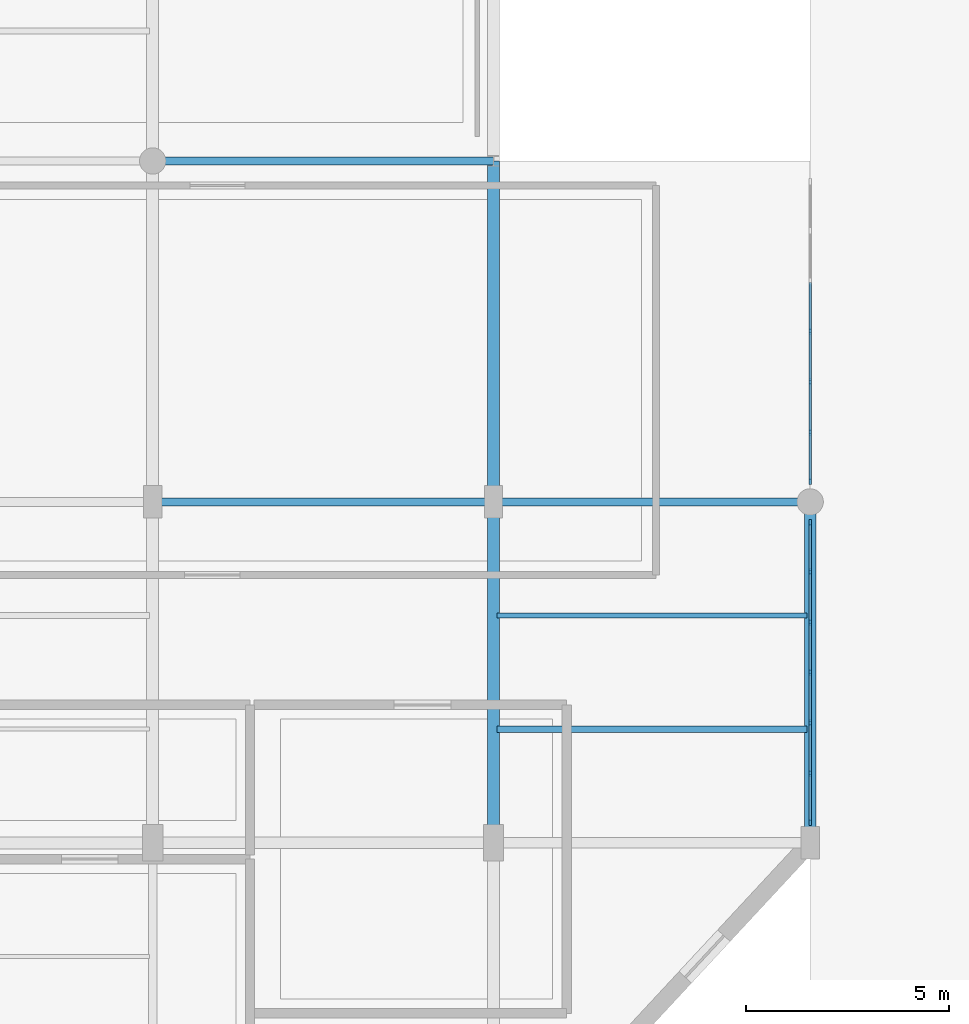
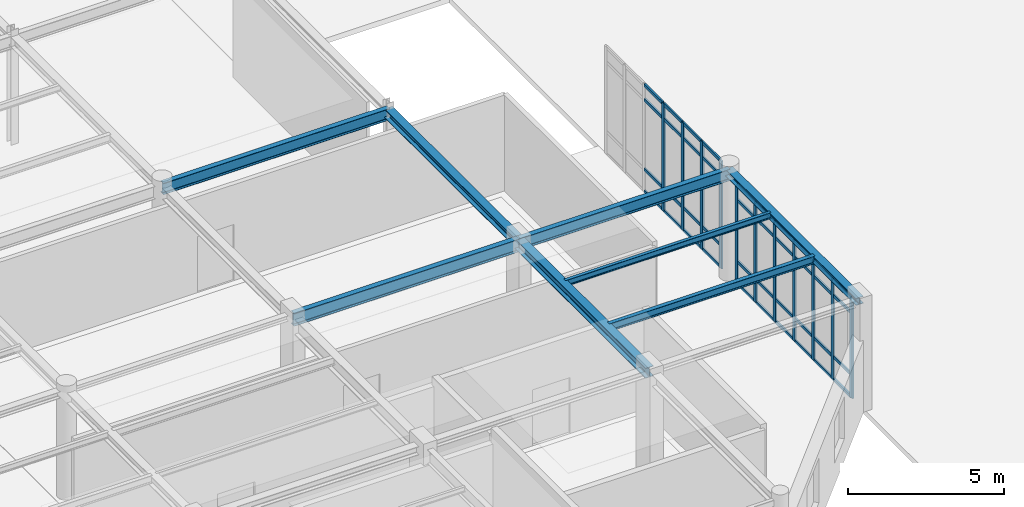
# One storey, part 24 of 101: 51 members, 8 beams, 2 elements without a shape of their own.
"""IFC4 building model written with IfcOpenShell, lengths in metres."""

from ifc_helpers import new_model, si_unit, derived_unit, direction, frame, origin, origin_2d, place, context, subcontext, project, spatial, rectangle, i_section, extrude, material, layer, layer_set, material_profile, profile_set, type_object, element, aggregate, save


model = new_model("IFC4")

# Units and contexts
model_context = context("Model", 3, precision=1e-05, world=origin(), true_north=direction((0.0, 1.0)))
body_context = subcontext(model_context, "Body", "Model", "MODEL_VIEW")
ifc_project = project(units=[si_unit("LENGTHUNIT", "METRE"), si_unit("AREAUNIT", "SQUARE_METRE"), si_unit("VOLUMEUNIT", "CUBIC_METRE"), si_unit("PLANEANGLEUNIT", "RADIAN"), si_unit("MASSUNIT", "GRAM", prefix="KILO"), derived_unit("THERMALTRANSMITTANCEUNIT", [(si_unit("POWERUNIT", "WATT"), 1), (si_unit("AREAUNIT", "SQUARE_METRE"), -1), (si_unit("THERMODYNAMICTEMPERATUREUNIT", "KELVIN"), -1)])], contexts=[model_context])

# Site, building, storey
site_placement = place(None, origin())
site = spatial("IfcSite", under=ifc_project, at=site_placement, CompositionType="ELEMENT")
building_placement = place(site_placement, origin())
building = spatial("IfcBuilding", under=site, at=building_placement, Name="Yasenodar Specialist Clinic", CompositionType="ELEMENT")
storey_placement = place(building_placement, origin())
storey = spatial("IfcBuildingStorey", under=building, at=storey_placement, Name="L00", CompositionType="ELEMENT", Elevation=0.0)

# Beams
ifc_material_1 = material(Name="Steel S355", Category="steel")
ifc_material_profile_1 = material_profile(ifc_material_1, i_section(OverallWidth=0.280029296875, OverallDepth=0.280029296875, WebThickness=0.010498046875, FlangeThickness=0.01806640625, FilletRadius=0.02392578125, at=origin_2d()), Name="HEB 280")
ifc_profile_set_1 = profile_set([ifc_material_profile_1], Name="Steel S355")
beam_type_1 = type_object("IfcBeamType", Name="BM-HEB280", PredefinedType="BEAM", material=ifc_profile_set_1)
beam_1_placement = place(storey_placement, frame((41.39990234375, 8.39990234375, 4.094970703125), z_axis=(0.0, 1.0, 0.0), x_axis=(-1.0, 0.0, 0.0)))
element("IfcBeam", 1, at=beam_1_placement, inside=storey, type_object=beam_type_1, Name="L00 Primary N-S Girder", PredefinedType="BEAM", context=body_context, shape_type="SweptSolid", body=[
    extrude(i_section(OverallWidth=0.280029296875, OverallDepth=0.280029296875, WebThickness=0.010498046875, FlangeThickness=0.01806640625, FilletRadius=0.02392578125, at=origin_2d()), origin(), (0.0, 0.0, 1.0), 8.400146484375),
])
ifc_material_profile_2 = material_profile(ifc_material_1, i_section(OverallWidth=0.300048828125, OverallDepth=0.340087890625, WebThickness=0.011962890625, FlangeThickness=0.021484375, FilletRadius=0.027099609375, at=origin_2d()), Name="HEB 340")
ifc_profile_set_2 = profile_set([ifc_material_profile_2], Name="Steel S355")
beam_type_2 = type_object("IfcBeamType", Name="BM-HEB340", PredefinedType="BEAM", material=ifc_profile_set_2)
beam_2_placement = place(storey_placement, frame((33.60009765625, 16.800048828125, 4.06494140625), z_axis=(0.0, 1.0, 0.0), x_axis=(-1.0, 0.0, 0.0)))
element("IfcBeam", 2, at=beam_2_placement, inside=storey, type_object=beam_type_2, Name="L00 Primary N-S Girder", PredefinedType="BEAM", context=body_context, shape_type="SweptSolid", body=[
    extrude(i_section(OverallWidth=0.300048828125, OverallDepth=0.340087890625, WebThickness=0.011962890625, FlangeThickness=0.021484375, FilletRadius=0.027099609375, at=origin_2d()), origin(), (0.0, 0.0, 1.0), 8.39990234375),
])
ifc_material_profile_3 = material_profile(ifc_material_1, i_section(OverallWidth=0.300048828125, OverallDepth=0.39990234375, WebThickness=0.013427734375, FlangeThickness=0.02392578125, FilletRadius=0.027099609375, at=origin_2d()), Name="HEB 400")
ifc_profile_set_3 = profile_set([ifc_material_profile_3], Name="Steel S355")
beam_type_3 = type_object("IfcBeamType", Name="BM-HEB400", PredefinedType="BEAM", material=ifc_profile_set_3)
beam_3_placement = place(storey_placement, frame((33.60009765625, 8.39990234375, 4.034912109375), z_axis=(0.0, 1.0, 0.0), x_axis=(-1.0, 0.0, 0.0)))
element("IfcBeam", 3, at=beam_3_placement, inside=storey, type_object=beam_type_3, Name="L00 Primary N-S Girder", PredefinedType="BEAM", context=body_context, shape_type="SweptSolid", body=[
    extrude(i_section(OverallWidth=0.300048828125, OverallDepth=0.39990234375, WebThickness=0.013427734375, FlangeThickness=0.02392578125, FilletRadius=0.027099609375, at=origin_2d()), origin(), (0.0, 0.0, 1.0), 8.400146484375),
])
ifc_material_profile_4 = material_profile(ifc_material_1, i_section(OverallWidth=0.18994140625, OverallDepth=0.449951171875, WebThickness=0.009521484375, FlangeThickness=0.0146484375, FilletRadius=0.02099609375, at=origin_2d()), Name="IPE 450")
ifc_profile_set_4 = profile_set([ifc_material_profile_4], Name="Steel S355")
beam_type_4 = type_object("IfcBeamType", Name="BM-IPE450", PredefinedType="BEAM", material=ifc_profile_set_4)
beam_4_placement = place(storey_placement, frame((33.60009765625, 16.800048828125, 4.010009765625), z_axis=(1.0, 0.0, 0.0), x_axis=(0.0, 1.0, 0.0)))
element("IfcBeam", 4, at=beam_4_placement, inside=storey, type_object=beam_type_4, Name="L00 Primary E-W Girder", PredefinedType="BEAM", context=body_context, shape_type="SweptSolid", body=[
    extrude(i_section(OverallWidth=0.18994140625, OverallDepth=0.449951171875, WebThickness=0.009521484375, FlangeThickness=0.0146484375, FilletRadius=0.02099609375, at=origin_2d()), origin(), (0.0, 0.0, 1.0), 7.7998046875),
])
beam_5_placement = place(storey_placement, frame((25.199951171875, 25.199951171875, 4.02490234375), z_axis=(1.0, 0.0, 0.0), x_axis=(0.0, 1.0, 0.0)))
element("IfcBeam", 5, at=beam_5_placement, inside=storey, type_object=beam_type_4, Name="L00 Primary E-W Girder", PredefinedType="BEAM", context=body_context, shape_type="SweptSolid", body=[
    extrude(i_section(OverallWidth=0.18994140625, OverallDepth=0.449951171875, WebThickness=0.009521484375, FlangeThickness=0.0146484375, FilletRadius=0.02099609375, at=origin_2d()), origin(), (0.0, 0.0, 1.0), 8.400146484375),
])
ifc_material_profile_5 = material_profile(ifc_material_1, i_section(OverallWidth=0.199951171875, OverallDepth=0.5, WebThickness=0.01025390625, FlangeThickness=0.01611328125, FilletRadius=0.02099609375, at=origin_2d()), Name="IPE 500")
ifc_profile_set_5 = profile_set([ifc_material_profile_5], Name="Steel S355")
beam_type_5 = type_object("IfcBeamType", Name="BM-IPE500", PredefinedType="BEAM", material=ifc_profile_set_5)
beam_6_placement = place(storey_placement, frame((25.199951171875, 16.800048828125, 3.985107421875), z_axis=(1.0, 0.0, 0.0), x_axis=(0.0, 1.0, 0.0)))
element("IfcBeam", 6, at=beam_6_placement, inside=storey, type_object=beam_type_5, Name="L00 Primary E-W Girder", PredefinedType="BEAM", context=body_context, shape_type="SweptSolid", body=[
    extrude(i_section(OverallWidth=0.199951171875, OverallDepth=0.5, WebThickness=0.01025390625, FlangeThickness=0.01611328125, FilletRadius=0.02099609375, at=origin_2d()), origin(), (0.0, 0.0, 1.0), 8.400146484375),
])

# Curtain wall, members
ifc_material_2 = material(Name="Bronze Anodized Aluminium and Triple Low-E Glass", Category="aluminium")
ifc_layer = layer(ifc_material_2, 0.202880859375)
ifc_layer_set = layer_set([ifc_layer], Name="Bronze Anodized Aluminium and Triple Low-E Glass")
curtain_wall_type = type_object("IfcCurtainWallType", Name="CW-SYS-04", PredefinedType="USERDEFINED", material=ifc_layer_set)
curtain_wall_1_placement = place(storey_placement, origin())
curtain_wall_1 = element("IfcCurtainWall", 7, at=curtain_wall_1_placement, inside=storey, type_object=curtain_wall_type, Name="L00 Unitised Curtain Wall 072", ObjectType="UNITISED CURTAIN WALL", PredefinedType="USERDEFINED")
ifc_material_3 = material(Name="Bronze Anodized Aluminium", Category="aluminium")
ifc_material_profile_6 = material_profile(ifc_material_3, rectangle(XDim=0.06005859375, YDim=0.159912109375, at=origin_2d()), Name="CW-MULL 60x160")
ifc_profile_set_6 = profile_set([ifc_material_profile_6], Name="Bronze Anodized Aluminium")
member_type_1 = type_object("IfcMemberType", Name="CW-MULL-160", PredefinedType="MULLION", material=ifc_profile_set_6)
member_1_placement = place(storey_placement, frame((41.39990234375, 21.0, 0.0), z_axis=(0.0, 0.0, 1.0), x_axis=(1.0, 0.0, 0.0)))
member_1 = element("IfcMember", 8, at=member_1_placement, type_object=member_type_1, Name="CW-04 mullion 4", PredefinedType="MULLION", context=body_context, shape_type="SweptSolid", body=[
    extrude(rectangle(XDim=0.06005859375, YDim=0.159912109375, at=origin_2d()), origin(), (0.0, 0.0, 1.0), 4.22998046875),
])
member_2_placement = place(storey_placement, frame((41.39990234375, 19.760009765625, 0.0), z_axis=(0.0, 0.0, 1.0), x_axis=(1.0, 0.0, 0.0)))
member_2 = element("IfcMember", 9, at=member_2_placement, type_object=member_type_1, Name="CW-04 mullion 5", PredefinedType="MULLION", context=body_context, shape_type="SweptSolid", body=[
    extrude(rectangle(XDim=0.06005859375, YDim=0.159912109375, at=origin_2d()), origin(), (0.0, 0.0, 1.0), 4.22998046875),
])
member_3_placement = place(storey_placement, frame((41.39990234375, 18.52001953125, 0.0), z_axis=(0.0, 0.0, 1.0), x_axis=(1.0, 0.0, 0.0)))
member_3 = element("IfcMember", 10, at=member_3_placement, type_object=member_type_1, Name="CW-04 mullion 6", PredefinedType="MULLION", context=body_context, shape_type="SweptSolid", body=[
    extrude(rectangle(XDim=0.06005859375, YDim=0.159912109375, at=origin_2d()), origin(), (0.0, 0.0, 1.0), 4.22998046875),
])
member_4_placement = place(storey_placement, frame((41.39990234375, 17.31005859375, 0.0), z_axis=(0.0, 0.0, 1.0), x_axis=(1.0, 0.0, 0.0)))
member_4 = element("IfcMember", 11, at=member_4_placement, type_object=member_type_1, Name="CW-04 mullion 7", PredefinedType="MULLION", context=body_context, shape_type="SweptSolid", body=[
    extrude(rectangle(XDim=0.06005859375, YDim=0.159912109375, at=origin_2d()), origin(), (0.0, 0.0, 1.0), 4.22998046875),
])

curtain_wall_2_placement = place(storey_placement, origin())
curtain_wall_2 = element("IfcCurtainWall", 12, at=curtain_wall_2_placement, inside=storey, type_object=curtain_wall_type, Name="L00 Unitised Curtain Wall 073", ObjectType="UNITISED CURTAIN WALL", PredefinedType="USERDEFINED")
member_5_placement = place(storey_placement, frame((41.39990234375, 16.2900390625, 0.0), z_axis=(0.0, 0.0, 1.0), x_axis=(1.0, 0.0, 0.0)))
member_5 = element("IfcMember", 13, at=member_5_placement, type_object=member_type_1, Name="CW-04 mullion 1", PredefinedType="MULLION", context=body_context, shape_type="SweptSolid", body=[
    extrude(rectangle(XDim=0.06005859375, YDim=0.159912109375, at=origin_2d()), origin(), (0.0, 0.0, 1.0), 3.9130859375),
])
member_6_placement = place(storey_placement, frame((41.39990234375, 15.080078125, 0.0), z_axis=(0.0, 0.0, 1.0), x_axis=(1.0, 0.0, 0.0)))
member_6 = element("IfcMember", 14, at=member_6_placement, type_object=member_type_1, Name="CW-04 mullion 2", PredefinedType="MULLION", context=body_context, shape_type="SweptSolid", body=[
    extrude(rectangle(XDim=0.06005859375, YDim=0.159912109375, at=origin_2d()), origin(), (0.0, 0.0, 1.0), 3.9130859375),
])
member_7_placement = place(storey_placement, frame((41.39990234375, 13.840087890625, 0.0), z_axis=(0.0, 0.0, 1.0), x_axis=(1.0, 0.0, 0.0)))
member_7 = element("IfcMember", 15, at=member_7_placement, type_object=member_type_1, Name="CW-04 mullion 3", PredefinedType="MULLION", context=body_context, shape_type="SweptSolid", body=[
    extrude(rectangle(XDim=0.06005859375, YDim=0.159912109375, at=origin_2d()), origin(), (0.0, 0.0, 1.0), 3.9130859375),
])
member_8_placement = place(storey_placement, frame((41.39990234375, 12.60009765625, 0.0), z_axis=(0.0, 0.0, 1.0), x_axis=(1.0, 0.0, 0.0)))
member_8 = element("IfcMember", 16, at=member_8_placement, type_object=member_type_1, Name="CW-04 mullion 4", PredefinedType="MULLION", context=body_context, shape_type="SweptSolid", body=[
    extrude(rectangle(XDim=0.06005859375, YDim=0.159912109375, at=origin_2d()), origin(), (0.0, 0.0, 1.0), 3.9130859375),
])
member_9_placement = place(storey_placement, frame((41.39990234375, 11.360107421875, 0.0), z_axis=(0.0, 0.0, 1.0), x_axis=(1.0, 0.0, 0.0)))
member_9 = element("IfcMember", 17, at=member_9_placement, type_object=member_type_1, Name="CW-04 mullion 5", PredefinedType="MULLION", context=body_context, shape_type="SweptSolid", body=[
    extrude(rectangle(XDim=0.06005859375, YDim=0.159912109375, at=origin_2d()), origin(), (0.0, 0.0, 1.0), 3.9130859375),
])
member_10_placement = place(storey_placement, frame((41.39990234375, 10.1201171875, 0.0), z_axis=(0.0, 0.0, 1.0), x_axis=(1.0, 0.0, 0.0)))
member_10 = element("IfcMember", 18, at=member_10_placement, type_object=member_type_1, Name="CW-04 mullion 6", PredefinedType="MULLION", context=body_context, shape_type="SweptSolid", body=[
    extrude(rectangle(XDim=0.06005859375, YDim=0.159912109375, at=origin_2d()), origin(), (0.0, 0.0, 1.0), 3.9130859375),
])
member_11_placement = place(storey_placement, frame((41.39990234375, 8.909912109375, 0.0), z_axis=(0.0, 0.0, 1.0), x_axis=(1.0, 0.0, 0.0)))
member_11 = element("IfcMember", 19, at=member_11_placement, type_object=member_type_1, Name="CW-04 mullion 7", PredefinedType="MULLION", context=body_context, shape_type="SweptSolid", body=[
    extrude(rectangle(XDim=0.06005859375, YDim=0.159912109375, at=origin_2d()), origin(), (0.0, 0.0, 1.0), 3.9130859375),
])

# Member
ifc_material_profile_7 = material_profile(ifc_material_3, rectangle(XDim=0.06005859375, YDim=0.1201171875, at=origin_2d()), Name="CW-TRAN 60x120")
ifc_profile_set_7 = profile_set([ifc_material_profile_7], Name="Bronze Anodized Aluminium")
member_type_2 = type_object("IfcMemberType", Name="CW-TRAN-120", PredefinedType="USERDEFINED", material=ifc_profile_set_7)
member_12_placement = place(storey_placement, frame((41.39990234375, 22.2099609375, 0.030029296875), z_axis=(0.0, -1.0, 0.0), x_axis=(1.0, 0.0, 0.0)))
member_12 = element("IfcMember", 20, at=member_12_placement, type_object=member_type_2, Name="CW-04 transom 3.1", ObjectType="TRANSOM", PredefinedType="USERDEFINED", context=body_context, shape_type="SweptSolid", body=[
    extrude(rectangle(XDim=0.06005859375, YDim=0.1201171875, at=origin_2d()), origin(), (0.0, 0.0, 1.0), 1.179931640625),
])

member_13_placement = place(storey_placement, frame((41.39990234375, 22.2099609375, 0.89990234375), z_axis=(0.0, -1.0, 0.0), x_axis=(1.0, 0.0, 0.0)))
member_13 = element("IfcMember", 21, at=member_13_placement, type_object=member_type_2, Name="CW-04 transom 3.2", ObjectType="TRANSOM", PredefinedType="USERDEFINED", context=body_context, shape_type="SweptSolid", body=[
    extrude(rectangle(XDim=0.06005859375, YDim=0.1201171875, at=origin_2d()), origin(), (0.0, 0.0, 1.0), 1.179931640625),
])

member_14_placement = place(storey_placement, frame((41.39990234375, 22.2099609375, 3.6298828125), z_axis=(0.0, -1.0, 0.0), x_axis=(1.0, 0.0, 0.0)))
member_14 = element("IfcMember", 22, at=member_14_placement, type_object=member_type_2, Name="CW-04 transom 3.3", ObjectType="TRANSOM", PredefinedType="USERDEFINED", context=body_context, shape_type="SweptSolid", body=[
    extrude(rectangle(XDim=0.06005859375, YDim=0.1201171875, at=origin_2d()), origin(), (0.0, 0.0, 1.0), 1.179931640625),
])

member_15_placement = place(storey_placement, frame((41.39990234375, 22.2099609375, 4.199951171875), z_axis=(0.0, -1.0, 0.0), x_axis=(1.0, 0.0, 0.0)))
member_15 = element("IfcMember", 23, at=member_15_placement, type_object=member_type_2, Name="CW-04 transom 3.4", ObjectType="TRANSOM", PredefinedType="USERDEFINED", context=body_context, shape_type="SweptSolid", body=[
    extrude(rectangle(XDim=0.06005859375, YDim=0.1201171875, at=origin_2d()), origin(), (0.0, 0.0, 1.0), 1.179931640625),
])

member_16_placement = place(storey_placement, frame((41.39990234375, 20.969970703125, 0.030029296875), z_axis=(0.0, -1.0, 0.0), x_axis=(1.0, 0.0, 0.0)))
member_16 = element("IfcMember", 24, at=member_16_placement, type_object=member_type_2, Name="CW-04 transom 4.1", ObjectType="TRANSOM", PredefinedType="USERDEFINED", context=body_context, shape_type="SweptSolid", body=[
    extrude(rectangle(XDim=0.06005859375, YDim=0.1201171875, at=origin_2d()), origin(), (0.0, 0.0, 1.0), 1.179931640625),
])

member_17_placement = place(storey_placement, frame((41.39990234375, 20.969970703125, 0.89990234375), z_axis=(0.0, -1.0, 0.0), x_axis=(1.0, 0.0, 0.0)))
member_17 = element("IfcMember", 25, at=member_17_placement, type_object=member_type_2, Name="CW-04 transom 4.2", ObjectType="TRANSOM", PredefinedType="USERDEFINED", context=body_context, shape_type="SweptSolid", body=[
    extrude(rectangle(XDim=0.06005859375, YDim=0.1201171875, at=origin_2d()), origin(), (0.0, 0.0, 1.0), 1.179931640625),
])

member_18_placement = place(storey_placement, frame((41.39990234375, 20.969970703125, 3.6298828125), z_axis=(0.0, -1.0, 0.0), x_axis=(1.0, 0.0, 0.0)))
member_18 = element("IfcMember", 26, at=member_18_placement, type_object=member_type_2, Name="CW-04 transom 4.3", ObjectType="TRANSOM", PredefinedType="USERDEFINED", context=body_context, shape_type="SweptSolid", body=[
    extrude(rectangle(XDim=0.06005859375, YDim=0.1201171875, at=origin_2d()), origin(), (0.0, 0.0, 1.0), 1.179931640625),
])

member_19_placement = place(storey_placement, frame((41.39990234375, 20.969970703125, 4.199951171875), z_axis=(0.0, -1.0, 0.0), x_axis=(1.0, 0.0, 0.0)))
member_19 = element("IfcMember", 27, at=member_19_placement, type_object=member_type_2, Name="CW-04 transom 4.4", ObjectType="TRANSOM", PredefinedType="USERDEFINED", context=body_context, shape_type="SweptSolid", body=[
    extrude(rectangle(XDim=0.06005859375, YDim=0.1201171875, at=origin_2d()), origin(), (0.0, 0.0, 1.0), 1.179931640625),
])

member_20_placement = place(storey_placement, frame((41.39990234375, 19.72998046875, 0.030029296875), z_axis=(0.0, -1.0, 0.0), x_axis=(1.0, 0.0, 0.0)))
member_20 = element("IfcMember", 28, at=member_20_placement, type_object=member_type_2, Name="CW-04 transom 5.1", ObjectType="TRANSOM", PredefinedType="USERDEFINED", context=body_context, shape_type="SweptSolid", body=[
    extrude(rectangle(XDim=0.06005859375, YDim=0.1201171875, at=origin_2d()), origin(), (0.0, 0.0, 1.0), 1.179931640625),
])

member_21_placement = place(storey_placement, frame((41.39990234375, 19.72998046875, 0.89990234375), z_axis=(0.0, -1.0, 0.0), x_axis=(1.0, 0.0, 0.0)))
member_21 = element("IfcMember", 29, at=member_21_placement, type_object=member_type_2, Name="CW-04 transom 5.2", ObjectType="TRANSOM", PredefinedType="USERDEFINED", context=body_context, shape_type="SweptSolid", body=[
    extrude(rectangle(XDim=0.06005859375, YDim=0.1201171875, at=origin_2d()), origin(), (0.0, 0.0, 1.0), 1.179931640625),
])

member_22_placement = place(storey_placement, frame((41.39990234375, 19.72998046875, 3.6298828125), z_axis=(0.0, -1.0, 0.0), x_axis=(1.0, 0.0, 0.0)))
member_22 = element("IfcMember", 30, at=member_22_placement, type_object=member_type_2, Name="CW-04 transom 5.3", ObjectType="TRANSOM", PredefinedType="USERDEFINED", context=body_context, shape_type="SweptSolid", body=[
    extrude(rectangle(XDim=0.06005859375, YDim=0.1201171875, at=origin_2d()), origin(), (0.0, 0.0, 1.0), 1.179931640625),
])

member_23_placement = place(storey_placement, frame((41.39990234375, 19.72998046875, 4.199951171875), z_axis=(0.0, -1.0, 0.0), x_axis=(1.0, 0.0, 0.0)))
member_23 = element("IfcMember", 31, at=member_23_placement, type_object=member_type_2, Name="CW-04 transom 5.4", ObjectType="TRANSOM", PredefinedType="USERDEFINED", context=body_context, shape_type="SweptSolid", body=[
    extrude(rectangle(XDim=0.06005859375, YDim=0.1201171875, at=origin_2d()), origin(), (0.0, 0.0, 1.0), 1.179931640625),
])

member_24_placement = place(storey_placement, frame((41.39990234375, 18.489990234375, 0.030029296875), z_axis=(0.0, -1.0, 0.0), x_axis=(1.0, 0.0, 0.0)))
member_24 = element("IfcMember", 32, at=member_24_placement, type_object=member_type_2, Name="CW-04 transom 6.1", ObjectType="TRANSOM", PredefinedType="USERDEFINED", context=body_context, shape_type="SweptSolid", body=[
    extrude(rectangle(XDim=0.06005859375, YDim=0.1201171875, at=origin_2d()), origin(), (0.0, 0.0, 1.0), 1.14990234375),
])

member_25_placement = place(storey_placement, frame((41.39990234375, 18.489990234375, 0.89990234375), z_axis=(0.0, -1.0, 0.0), x_axis=(1.0, 0.0, 0.0)))
member_25 = element("IfcMember", 33, at=member_25_placement, type_object=member_type_2, Name="CW-04 transom 6.2", ObjectType="TRANSOM", PredefinedType="USERDEFINED", context=body_context, shape_type="SweptSolid", body=[
    extrude(rectangle(XDim=0.06005859375, YDim=0.1201171875, at=origin_2d()), origin(), (0.0, 0.0, 1.0), 1.14990234375),
])

member_26_placement = place(storey_placement, frame((41.39990234375, 18.489990234375, 3.6298828125), z_axis=(0.0, -1.0, 0.0), x_axis=(1.0, 0.0, 0.0)))
member_26 = element("IfcMember", 34, at=member_26_placement, type_object=member_type_2, Name="CW-04 transom 6.3", ObjectType="TRANSOM", PredefinedType="USERDEFINED", context=body_context, shape_type="SweptSolid", body=[
    extrude(rectangle(XDim=0.06005859375, YDim=0.1201171875, at=origin_2d()), origin(), (0.0, 0.0, 1.0), 1.14990234375),
])

member_27_placement = place(storey_placement, frame((41.39990234375, 18.489990234375, 4.199951171875), z_axis=(0.0, -1.0, 0.0), x_axis=(1.0, 0.0, 0.0)))
member_27 = element("IfcMember", 35, at=member_27_placement, type_object=member_type_2, Name="CW-04 transom 6.4", ObjectType="TRANSOM", PredefinedType="USERDEFINED", context=body_context, shape_type="SweptSolid", body=[
    extrude(rectangle(XDim=0.06005859375, YDim=0.1201171875, at=origin_2d()), origin(), (0.0, 0.0, 1.0), 1.14990234375),
])

aggregate(curtain_wall_1, [member_1, member_2, member_3, member_4, member_12, member_13, member_14, member_15, member_16, member_17, member_18, member_19, member_20, member_21, member_22, member_23, member_24, member_25, member_26, member_27])

member_28_placement = place(storey_placement, frame((41.39990234375, 16.260009765625, 0.030029296875), z_axis=(0.0, -1.0, 0.0), x_axis=(1.0, 0.0, 0.0)))
member_28 = element("IfcMember", 36, at=member_28_placement, type_object=member_type_2, Name="CW-04 transom 1.1", ObjectType="TRANSOM", PredefinedType="USERDEFINED", context=body_context, shape_type="SweptSolid", body=[
    extrude(rectangle(XDim=0.06005859375, YDim=0.1201171875, at=origin_2d()), origin(), (0.0, 0.0, 1.0), 1.14990234375),
])

member_29_placement = place(storey_placement, frame((41.39990234375, 16.260009765625, 0.89990234375), z_axis=(0.0, -1.0, 0.0), x_axis=(1.0, 0.0, 0.0)))
member_29 = element("IfcMember", 37, at=member_29_placement, type_object=member_type_2, Name="CW-04 transom 1.2", ObjectType="TRANSOM", PredefinedType="USERDEFINED", context=body_context, shape_type="SweptSolid", body=[
    extrude(rectangle(XDim=0.06005859375, YDim=0.1201171875, at=origin_2d()), origin(), (0.0, 0.0, 1.0), 1.14990234375),
])

member_30_placement = place(storey_placement, frame((41.39990234375, 16.260009765625, 3.31298828125), z_axis=(0.0, -1.0, 0.0), x_axis=(1.0, 0.0, 0.0)))
member_30 = element("IfcMember", 38, at=member_30_placement, type_object=member_type_2, Name="CW-04 transom 1.3", ObjectType="TRANSOM", PredefinedType="USERDEFINED", context=body_context, shape_type="SweptSolid", body=[
    extrude(rectangle(XDim=0.06005859375, YDim=0.1201171875, at=origin_2d()), origin(), (0.0, 0.0, 1.0), 1.14990234375),
])

member_31_placement = place(storey_placement, frame((41.39990234375, 16.260009765625, 3.883056640625), z_axis=(0.0, -1.0, 0.0), x_axis=(1.0, 0.0, 0.0)))
member_31 = element("IfcMember", 39, at=member_31_placement, type_object=member_type_2, Name="CW-04 transom 1.4", ObjectType="TRANSOM", PredefinedType="USERDEFINED", context=body_context, shape_type="SweptSolid", body=[
    extrude(rectangle(XDim=0.06005859375, YDim=0.1201171875, at=origin_2d()), origin(), (0.0, 0.0, 1.0), 1.14990234375),
])

member_32_placement = place(storey_placement, frame((41.39990234375, 15.050048828125, 0.030029296875), z_axis=(0.0, -1.0, 0.0), x_axis=(1.0, 0.0, 0.0)))
member_32 = element("IfcMember", 40, at=member_32_placement, type_object=member_type_2, Name="CW-04 transom 2.1", ObjectType="TRANSOM", PredefinedType="USERDEFINED", context=body_context, shape_type="SweptSolid", body=[
    extrude(rectangle(XDim=0.06005859375, YDim=0.1201171875, at=origin_2d()), origin(), (0.0, 0.0, 1.0), 1.179931640625),
])

member_33_placement = place(storey_placement, frame((41.39990234375, 15.050048828125, 0.89990234375), z_axis=(0.0, -1.0, 0.0), x_axis=(1.0, 0.0, 0.0)))
member_33 = element("IfcMember", 41, at=member_33_placement, type_object=member_type_2, Name="CW-04 transom 2.2", ObjectType="TRANSOM", PredefinedType="USERDEFINED", context=body_context, shape_type="SweptSolid", body=[
    extrude(rectangle(XDim=0.06005859375, YDim=0.1201171875, at=origin_2d()), origin(), (0.0, 0.0, 1.0), 1.179931640625),
])

member_34_placement = place(storey_placement, frame((41.39990234375, 15.050048828125, 3.31298828125), z_axis=(0.0, -1.0, 0.0), x_axis=(1.0, 0.0, 0.0)))
member_34 = element("IfcMember", 42, at=member_34_placement, type_object=member_type_2, Name="CW-04 transom 2.3", ObjectType="TRANSOM", PredefinedType="USERDEFINED", context=body_context, shape_type="SweptSolid", body=[
    extrude(rectangle(XDim=0.06005859375, YDim=0.1201171875, at=origin_2d()), origin(), (0.0, 0.0, 1.0), 1.179931640625),
])

member_35_placement = place(storey_placement, frame((41.39990234375, 15.050048828125, 3.883056640625), z_axis=(0.0, -1.0, 0.0), x_axis=(1.0, 0.0, 0.0)))
member_35 = element("IfcMember", 43, at=member_35_placement, type_object=member_type_2, Name="CW-04 transom 2.4", ObjectType="TRANSOM", PredefinedType="USERDEFINED", context=body_context, shape_type="SweptSolid", body=[
    extrude(rectangle(XDim=0.06005859375, YDim=0.1201171875, at=origin_2d()), origin(), (0.0, 0.0, 1.0), 1.179931640625),
])

member_36_placement = place(storey_placement, frame((41.39990234375, 13.81005859375, 0.030029296875), z_axis=(0.0, -1.0, 0.0), x_axis=(1.0, 0.0, 0.0)))
member_36 = element("IfcMember", 44, at=member_36_placement, type_object=member_type_2, Name="CW-04 transom 3.1", ObjectType="TRANSOM", PredefinedType="USERDEFINED", context=body_context, shape_type="SweptSolid", body=[
    extrude(rectangle(XDim=0.06005859375, YDim=0.1201171875, at=origin_2d()), origin(), (0.0, 0.0, 1.0), 1.18017578125),
])

member_37_placement = place(storey_placement, frame((41.39990234375, 13.81005859375, 0.89990234375), z_axis=(0.0, -1.0, 0.0), x_axis=(1.0, 0.0, 0.0)))
member_37 = element("IfcMember", 45, at=member_37_placement, type_object=member_type_2, Name="CW-04 transom 3.2", ObjectType="TRANSOM", PredefinedType="USERDEFINED", context=body_context, shape_type="SweptSolid", body=[
    extrude(rectangle(XDim=0.06005859375, YDim=0.1201171875, at=origin_2d()), origin(), (0.0, 0.0, 1.0), 1.18017578125),
])

member_38_placement = place(storey_placement, frame((41.39990234375, 13.81005859375, 3.31298828125), z_axis=(0.0, -1.0, 0.0), x_axis=(1.0, 0.0, 0.0)))
member_38 = element("IfcMember", 46, at=member_38_placement, type_object=member_type_2, Name="CW-04 transom 3.3", ObjectType="TRANSOM", PredefinedType="USERDEFINED", context=body_context, shape_type="SweptSolid", body=[
    extrude(rectangle(XDim=0.06005859375, YDim=0.1201171875, at=origin_2d()), origin(), (0.0, 0.0, 1.0), 1.18017578125),
])

member_39_placement = place(storey_placement, frame((41.39990234375, 13.81005859375, 3.883056640625), z_axis=(0.0, -1.0, 0.0), x_axis=(1.0, 0.0, 0.0)))
member_39 = element("IfcMember", 47, at=member_39_placement, type_object=member_type_2, Name="CW-04 transom 3.4", ObjectType="TRANSOM", PredefinedType="USERDEFINED", context=body_context, shape_type="SweptSolid", body=[
    extrude(rectangle(XDim=0.06005859375, YDim=0.1201171875, at=origin_2d()), origin(), (0.0, 0.0, 1.0), 1.18017578125),
])

member_40_placement = place(storey_placement, frame((41.39990234375, 12.570068359375, 0.030029296875), z_axis=(0.0, -1.0, 0.0), x_axis=(1.0, 0.0, 0.0)))
member_40 = element("IfcMember", 48, at=member_40_placement, type_object=member_type_2, Name="CW-04 transom 4.1", ObjectType="TRANSOM", PredefinedType="USERDEFINED", context=body_context, shape_type="SweptSolid", body=[
    extrude(rectangle(XDim=0.06005859375, YDim=0.1201171875, at=origin_2d()), origin(), (0.0, 0.0, 1.0), 1.18017578125),
])

member_41_placement = place(storey_placement, frame((41.39990234375, 12.570068359375, 0.89990234375), z_axis=(0.0, -1.0, 0.0), x_axis=(1.0, 0.0, 0.0)))
member_41 = element("IfcMember", 49, at=member_41_placement, type_object=member_type_2, Name="CW-04 transom 4.2", ObjectType="TRANSOM", PredefinedType="USERDEFINED", context=body_context, shape_type="SweptSolid", body=[
    extrude(rectangle(XDim=0.06005859375, YDim=0.1201171875, at=origin_2d()), origin(), (0.0, 0.0, 1.0), 1.18017578125),
])

member_42_placement = place(storey_placement, frame((41.39990234375, 12.570068359375, 3.31298828125), z_axis=(0.0, -1.0, 0.0), x_axis=(1.0, 0.0, 0.0)))
member_42 = element("IfcMember", 50, at=member_42_placement, type_object=member_type_2, Name="CW-04 transom 4.3", ObjectType="TRANSOM", PredefinedType="USERDEFINED", context=body_context, shape_type="SweptSolid", body=[
    extrude(rectangle(XDim=0.06005859375, YDim=0.1201171875, at=origin_2d()), origin(), (0.0, 0.0, 1.0), 1.18017578125),
])

member_43_placement = place(storey_placement, frame((41.39990234375, 12.570068359375, 3.883056640625), z_axis=(0.0, -1.0, 0.0), x_axis=(1.0, 0.0, 0.0)))
member_43 = element("IfcMember", 51, at=member_43_placement, type_object=member_type_2, Name="CW-04 transom 4.4", ObjectType="TRANSOM", PredefinedType="USERDEFINED", context=body_context, shape_type="SweptSolid", body=[
    extrude(rectangle(XDim=0.06005859375, YDim=0.1201171875, at=origin_2d()), origin(), (0.0, 0.0, 1.0), 1.18017578125),
])

member_44_placement = place(storey_placement, frame((41.39990234375, 11.330078125, 0.030029296875), z_axis=(0.0, -1.0, 0.0), x_axis=(1.0, 0.0, 0.0)))
member_44 = element("IfcMember", 52, at=member_44_placement, type_object=member_type_2, Name="CW-04 transom 5.1", ObjectType="TRANSOM", PredefinedType="USERDEFINED", context=body_context, shape_type="SweptSolid", body=[
    extrude(rectangle(XDim=0.06005859375, YDim=0.1201171875, at=origin_2d()), origin(), (0.0, 0.0, 1.0), 1.18017578125),
])

member_45_placement = place(storey_placement, frame((41.39990234375, 11.330078125, 0.89990234375), z_axis=(0.0, -1.0, 0.0), x_axis=(1.0, 0.0, 0.0)))
member_45 = element("IfcMember", 53, at=member_45_placement, type_object=member_type_2, Name="CW-04 transom 5.2", ObjectType="TRANSOM", PredefinedType="USERDEFINED", context=body_context, shape_type="SweptSolid", body=[
    extrude(rectangle(XDim=0.06005859375, YDim=0.1201171875, at=origin_2d()), origin(), (0.0, 0.0, 1.0), 1.18017578125),
])

member_46_placement = place(storey_placement, frame((41.39990234375, 11.330078125, 3.31298828125), z_axis=(0.0, -1.0, 0.0), x_axis=(1.0, 0.0, 0.0)))
member_46 = element("IfcMember", 54, at=member_46_placement, type_object=member_type_2, Name="CW-04 transom 5.3", ObjectType="TRANSOM", PredefinedType="USERDEFINED", context=body_context, shape_type="SweptSolid", body=[
    extrude(rectangle(XDim=0.06005859375, YDim=0.1201171875, at=origin_2d()), origin(), (0.0, 0.0, 1.0), 1.18017578125),
])

member_47_placement = place(storey_placement, frame((41.39990234375, 11.330078125, 3.883056640625), z_axis=(0.0, -1.0, 0.0), x_axis=(1.0, 0.0, 0.0)))
member_47 = element("IfcMember", 55, at=member_47_placement, type_object=member_type_2, Name="CW-04 transom 5.4", ObjectType="TRANSOM", PredefinedType="USERDEFINED", context=body_context, shape_type="SweptSolid", body=[
    extrude(rectangle(XDim=0.06005859375, YDim=0.1201171875, at=origin_2d()), origin(), (0.0, 0.0, 1.0), 1.18017578125),
])

member_48_placement = place(storey_placement, frame((41.39990234375, 10.090087890625, 0.030029296875), z_axis=(0.0, -1.0, 0.0), x_axis=(1.0, 0.0, 0.0)))
member_48 = element("IfcMember", 56, at=member_48_placement, type_object=member_type_2, Name="CW-04 transom 6.1", ObjectType="TRANSOM", PredefinedType="USERDEFINED", context=body_context, shape_type="SweptSolid", body=[
    extrude(rectangle(XDim=0.06005859375, YDim=0.1201171875, at=origin_2d()), origin(), (0.0, 0.0, 1.0), 1.150146484375),
])

member_49_placement = place(storey_placement, frame((41.39990234375, 10.090087890625, 0.89990234375), z_axis=(0.0, -1.0, 0.0), x_axis=(1.0, 0.0, 0.0)))
member_49 = element("IfcMember", 57, at=member_49_placement, type_object=member_type_2, Name="CW-04 transom 6.2", ObjectType="TRANSOM", PredefinedType="USERDEFINED", context=body_context, shape_type="SweptSolid", body=[
    extrude(rectangle(XDim=0.06005859375, YDim=0.1201171875, at=origin_2d()), origin(), (0.0, 0.0, 1.0), 1.150146484375),
])

member_50_placement = place(storey_placement, frame((41.39990234375, 10.090087890625, 3.31298828125), z_axis=(0.0, -1.0, 0.0), x_axis=(1.0, 0.0, 0.0)))
member_50 = element("IfcMember", 58, at=member_50_placement, type_object=member_type_2, Name="CW-04 transom 6.3", ObjectType="TRANSOM", PredefinedType="USERDEFINED", context=body_context, shape_type="SweptSolid", body=[
    extrude(rectangle(XDim=0.06005859375, YDim=0.1201171875, at=origin_2d()), origin(), (0.0, 0.0, 1.0), 1.150146484375),
])

member_51_placement = place(storey_placement, frame((41.39990234375, 10.090087890625, 3.883056640625), z_axis=(0.0, -1.0, 0.0), x_axis=(1.0, 0.0, 0.0)))
member_51 = element("IfcMember", 59, at=member_51_placement, type_object=member_type_2, Name="CW-04 transom 6.4", ObjectType="TRANSOM", PredefinedType="USERDEFINED", context=body_context, shape_type="SweptSolid", body=[
    extrude(rectangle(XDim=0.06005859375, YDim=0.1201171875, at=origin_2d()), origin(), (0.0, 0.0, 1.0), 1.150146484375),
])

aggregate(curtain_wall_2, [member_5, member_6, member_7, member_8, member_9, member_10, member_11, member_28, member_29, member_30, member_31, member_32, member_33, member_34, member_35, member_36, member_37, member_38, member_39, member_40, member_41, member_42, member_43, member_44, member_45, member_46, member_47, member_48, member_49, member_50, member_51])

# Beams
ifc_material_profile_8 = material_profile(ifc_material_1, i_section(OverallWidth=0.1201171875, OverallDepth=0.239990234375, WebThickness=0.006103515625, FlangeThickness=0.009765625, FilletRadius=0.014892578125, at=origin_2d()), Name="IPE 240")
ifc_profile_set_8 = profile_set([ifc_material_profile_8], Name="Steel S355")
beam_type_6 = type_object("IfcBeamType", Name="JS-IPE240", PredefinedType="JOIST", material=ifc_profile_set_8)
beam_7_placement = place(storey_placement, frame((33.679931640625, 14.0, 4.114990234375), z_axis=(1.0, 0.0, 0.0), x_axis=(0.0, 1.0, 0.0)))
element("IfcBeam", 60, at=beam_7_placement, inside=storey, type_object=beam_type_6, Name="L00 Composite Floor Joist", PredefinedType="JOIST", context=body_context, shape_type="SweptSolid", body=[
    extrude(i_section(OverallWidth=0.1201171875, OverallDepth=0.239990234375, WebThickness=0.006103515625, FlangeThickness=0.009765625, FilletRadius=0.014892578125, at=origin_2d()), origin(), (0.0, 0.0, 1.0), 7.64013671875),
])
ifc_material_profile_9 = material_profile(ifc_material_1, i_section(OverallWidth=0.14990234375, OverallDepth=0.300048828125, WebThickness=0.007080078125, FlangeThickness=0.0107421875, FilletRadius=0.014892578125, at=origin_2d()), Name="IPE 300")
ifc_profile_set_9 = profile_set([ifc_material_profile_9], Name="Steel S355")
beam_type_7 = type_object("IfcBeamType", Name="JS-IPE300", PredefinedType="JOIST", material=ifc_profile_set_9)
beam_8_placement = place(storey_placement, frame((33.679931640625, 11.199951171875, 4.0849609375), z_axis=(1.0, 0.0, 0.0), x_axis=(0.0, 1.0, 0.0)))
element("IfcBeam", 61, at=beam_8_placement, inside=storey, type_object=beam_type_7, Name="L00 Composite Floor Joist", PredefinedType="JOIST", context=body_context, shape_type="SweptSolid", body=[
    extrude(i_section(OverallWidth=0.14990234375, OverallDepth=0.300048828125, WebThickness=0.007080078125, FlangeThickness=0.0107421875, FilletRadius=0.014892578125, at=origin_2d()), origin(), (0.0, 0.0, 1.0), 7.64013671875),
])

save(model, "model.ifc")
